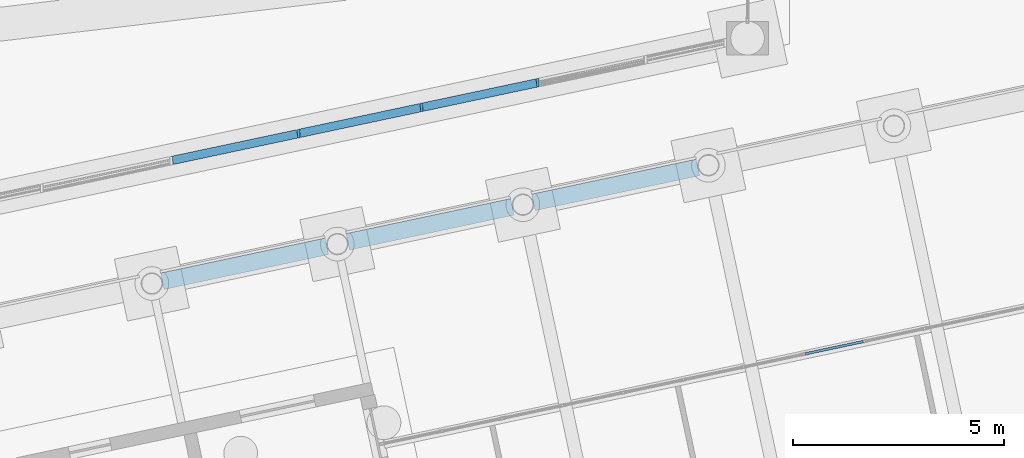
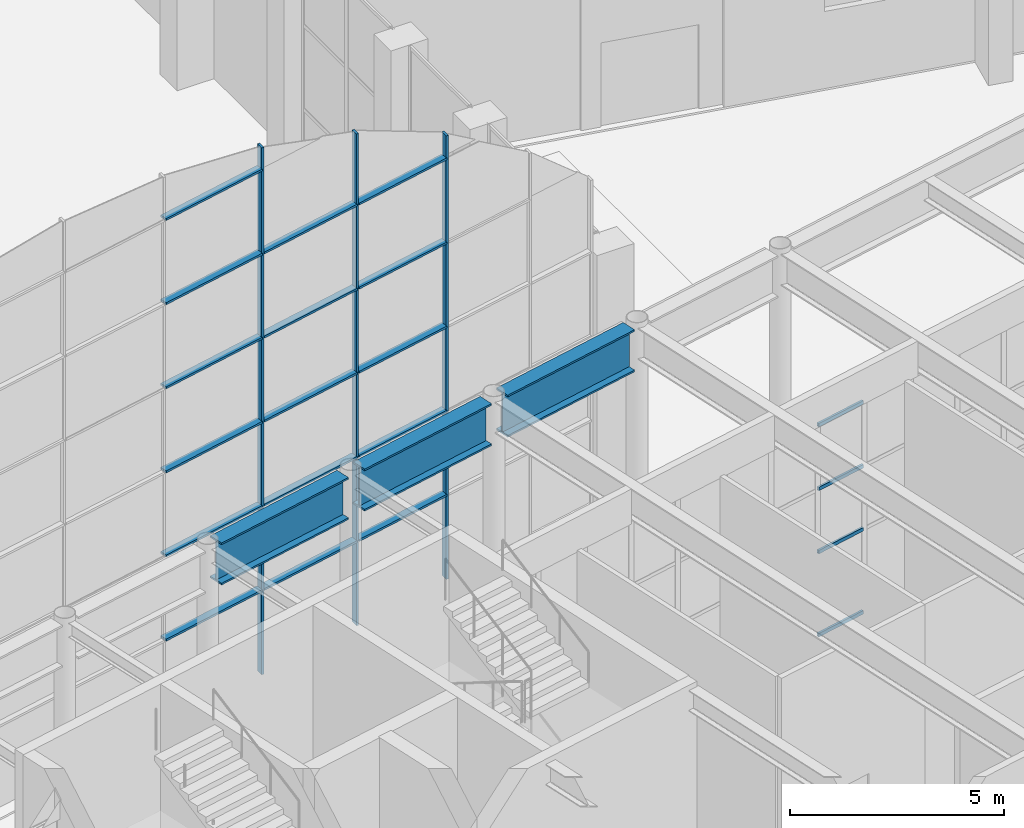
# One storey, part 109 of 239: 23 members, 3 beams, 2 elements without a shape of their own.
"""IFC4 building model written with IfcOpenShell, lengths in metres."""

from ifc_helpers import new_model, si_unit, direction, frame, origin, origin_2d, place, context, subcontext, project, spatial, rectangle, hollow_rectangle, i_section, extrude, material, material_profile, profile_set, type_object, element, aggregate, save


model = new_model("IFC4")

# Units and contexts
model_context = context("Model", 3, precision=1e-05, world=origin(), true_north=direction((0.0, 1.0)))
body_context = subcontext(model_context, "Body", "Model", "MODEL_VIEW")
ifc_project = project(units=[si_unit("LENGTHUNIT", "METRE"), si_unit("AREAUNIT", "SQUARE_METRE"), si_unit("VOLUMEUNIT", "CUBIC_METRE"), si_unit("PLANEANGLEUNIT", "RADIAN"), si_unit("MASSUNIT", "GRAM", prefix="KILO")], contexts=[model_context])

# Site, building, storey
site_placement = place(None, origin())
site = spatial("IfcSite", under=ifc_project, at=site_placement, CompositionType="ELEMENT")
building_placement = place(site_placement, origin())
building = spatial("IfcBuilding", under=site, at=building_placement, Name="Okhra Congress Centre", CompositionType="ELEMENT")
storey_placement = place(building_placement, origin())
storey = spatial("IfcBuildingStorey", under=building, at=storey_placement, Name="L00", CompositionType="ELEMENT", Elevation=0.0)

# Curtain wall, members
ifc_material_1 = material(Name="Aluminium frame with triple glazing", Category="aluminium")
curtain_wall_type_1 = type_object("IfcCurtainWallType", Name="Glazed gable curtain wall", PredefinedType="NOTDEFINED", material=ifc_material_1)
curtain_wall_1_placement = place(storey_placement, origin())
curtain_wall_1 = element("IfcCurtainWall", 1, at=curtain_wall_1_placement, inside=storey, type_object=curtain_wall_type_1, Name="South gable glazing", PredefinedType="NOTDEFINED")
ifc_material_2 = material(Name="Aluminium alloy 6063", Category="aluminium")
ifc_material_profile_1 = material_profile(ifc_material_2, rectangle(XDim=0.06005859375, YDim=0.199951171875, at=origin_2d()), Name="AL 60x200 gable")
ifc_profile_set_1 = profile_set([ifc_material_profile_1], Name="Aluminium alloy 6063")
member_type_1 = type_object("IfcMemberType", Name="Aluminium gable mullion 60x200", PredefinedType="MULLION", material=ifc_profile_set_1)
member_1_placement = place(storey_placement, frame((178.34814453125, 79.1044921875, 0.0), z_axis=(0.0, 0.0, 1.0), x_axis=(1.0, 0.0, 0.0)))
member_1 = element("IfcMember", 2, at=member_1_placement, type_object=member_type_1, Name="South gable glazing mullion 9", PredefinedType="MULLION", context=body_context, shape_type="SweptSolid", body=[
    extrude(rectangle(XDim=0.06005859375, YDim=0.199951171875, at=origin_2d()), origin(), (0.0, 0.0, 1.0), 15.02880859375),
])
member_2_placement = place(storey_placement, frame((181.264404296875, 79.724609375, 0.0), z_axis=(0.0, 0.0, 1.0), x_axis=(1.0, 0.0, 0.0)))
member_2 = element("IfcMember", 3, at=member_2_placement, type_object=member_type_1, Name="South gable glazing mullion 10", PredefinedType="MULLION", context=body_context, shape_type="SweptSolid", body=[
    extrude(rectangle(XDim=0.06005859375, YDim=0.199951171875, at=origin_2d()), origin(), (0.0, 0.0, 1.0), 14.0302734375),
])
member_3_placement = place(storey_placement, frame((184.024169921875, 80.311279296875, 0.0), z_axis=(0.0, 0.0, 1.0), x_axis=(1.0, 0.0, 0.0)))
member_3 = element("IfcMember", 4, at=member_3_placement, type_object=member_type_1, Name="South gable glazing mullion 11", PredefinedType="MULLION", context=body_context, shape_type="SweptSolid", body=[
    extrude(rectangle(XDim=0.06005859375, YDim=0.199951171875, at=origin_2d()), origin(), (0.0, 0.0, 1.0), 12.65673828125),
])
ifc_material_profile_2 = material_profile(ifc_material_2, rectangle(XDim=0.199951171875, YDim=0.06005859375, at=origin_2d()), Name="AL 200x60 gable transom")
ifc_profile_set_2 = profile_set([ifc_material_profile_2], Name="Aluminium alloy 6063")
member_type_2 = type_object("IfcMemberType", Name="Aluminium gable transom 200x60", PredefinedType="USERDEFINED", material=ifc_profile_set_2)
member_4_placement = place(storey_placement, frame((175.355712890625, 78.468505859375, 2.39990234375), z_axis=(0.978150245323, 0.207899248614, 0.0), x_axis=(-0.207899248614, 0.978150245323, 0.0)))
member_4 = element("IfcMember", 5, at=member_4_placement, type_object=member_type_2, Name="South gable glazing transom 8.1", ObjectType="TRANSOM", PredefinedType="USERDEFINED", context=body_context, shape_type="SweptSolid", body=[
    extrude(rectangle(XDim=0.199951171875, YDim=0.06005859375, at=origin_2d()), origin(), (0.0, 0.0, 1.0), 3.028564453125),
])
member_5_placement = place(storey_placement, frame((175.355712890625, 78.468505859375, 4.800048828125), z_axis=(0.978150245323, 0.207899248614, 0.0), x_axis=(-0.207899248614, 0.978150245323, 0.0)))
member_5 = element("IfcMember", 6, at=member_5_placement, type_object=member_type_2, Name="South gable glazing transom 8.2", ObjectType="TRANSOM", PredefinedType="USERDEFINED", context=body_context, shape_type="SweptSolid", body=[
    extrude(rectangle(XDim=0.199951171875, YDim=0.06005859375, at=origin_2d()), origin(), (0.0, 0.0, 1.0), 3.028564453125),
])
member_6_placement = place(storey_placement, frame((175.355712890625, 78.468505859375, 7.199951171875), z_axis=(0.978150245323, 0.207899248614, 0.0), x_axis=(-0.207899248614, 0.978150245323, 0.0)))
member_6 = element("IfcMember", 7, at=member_6_placement, type_object=member_type_2, Name="South gable glazing transom 8.3", ObjectType="TRANSOM", PredefinedType="USERDEFINED", context=body_context, shape_type="SweptSolid", body=[
    extrude(rectangle(XDim=0.199951171875, YDim=0.06005859375, at=origin_2d()), origin(), (0.0, 0.0, 1.0), 3.028564453125),
])
member_7_placement = place(storey_placement, frame((175.355712890625, 78.468505859375, 9.60009765625), z_axis=(0.978150245323, 0.207899248614, 0.0), x_axis=(-0.207899248614, 0.978150245323, 0.0)))
member_7 = element("IfcMember", 8, at=member_7_placement, type_object=member_type_2, Name="South gable glazing transom 8.4", ObjectType="TRANSOM", PredefinedType="USERDEFINED", context=body_context, shape_type="SweptSolid", body=[
    extrude(rectangle(XDim=0.199951171875, YDim=0.06005859375, at=origin_2d()), origin(), (0.0, 0.0, 1.0), 3.028564453125),
])
member_8_placement = place(storey_placement, frame((175.355712890625, 78.468505859375, 12.0), z_axis=(0.978150245323, 0.207899248614, 0.0), x_axis=(-0.207899248614, 0.978150245323, 0.0)))
member_8 = element("IfcMember", 9, at=member_8_placement, type_object=member_type_2, Name="South gable glazing transom 8.5", ObjectType="TRANSOM", PredefinedType="USERDEFINED", context=body_context, shape_type="SweptSolid", body=[
    extrude(rectangle(XDim=0.199951171875, YDim=0.06005859375, at=origin_2d()), origin(), (0.0, 0.0, 1.0), 3.028564453125),
])
member_9_placement = place(storey_placement, frame((175.355712890625, 78.468505859375, 14.39990234375), z_axis=(0.978150245323, 0.207899248614, 0.0), x_axis=(-0.207899248614, 0.978150245323, 0.0)))
member_9 = element("IfcMember", 10, at=member_9_placement, type_object=member_type_2, Name="South gable glazing transom 8.6", ObjectType="TRANSOM", PredefinedType="USERDEFINED", context=body_context, shape_type="SweptSolid", body=[
    extrude(rectangle(XDim=0.199951171875, YDim=0.06005859375, at=origin_2d()), origin(), (0.0, 0.0, 1.0), 3.028564453125),
])
member_10_placement = place(storey_placement, frame((178.378173828125, 79.111083984375, 2.39990234375), z_axis=(0.978142486059, 0.207935752015, 0.0), x_axis=(-0.207935752015, 0.978142486059, 0.0)))
member_10 = element("IfcMember", 11, at=member_10_placement, type_object=member_type_2, Name="South gable glazing transom 9.1", ObjectType="TRANSOM", PredefinedType="USERDEFINED", context=body_context, shape_type="SweptSolid", body=[
    extrude(rectangle(XDim=0.199951171875, YDim=0.06005859375, at=origin_2d()), origin(), (0.0, 0.0, 1.0), 2.919921875),
])
member_11_placement = place(storey_placement, frame((178.378173828125, 79.111083984375, 4.800048828125), z_axis=(0.978142486059, 0.207935752015, 0.0), x_axis=(-0.207935752015, 0.978142486059, 0.0)))
member_11 = element("IfcMember", 12, at=member_11_placement, type_object=member_type_2, Name="South gable glazing transom 9.2", ObjectType="TRANSOM", PredefinedType="USERDEFINED", context=body_context, shape_type="SweptSolid", body=[
    extrude(rectangle(XDim=0.199951171875, YDim=0.06005859375, at=origin_2d()), origin(), (0.0, 0.0, 1.0), 2.919921875),
])
member_12_placement = place(storey_placement, frame((178.378173828125, 79.111083984375, 7.199951171875), z_axis=(0.978142486059, 0.207935752015, 0.0), x_axis=(-0.207935752015, 0.978142486059, 0.0)))
member_12 = element("IfcMember", 13, at=member_12_placement, type_object=member_type_2, Name="South gable glazing transom 9.3", ObjectType="TRANSOM", PredefinedType="USERDEFINED", context=body_context, shape_type="SweptSolid", body=[
    extrude(rectangle(XDim=0.199951171875, YDim=0.06005859375, at=origin_2d()), origin(), (0.0, 0.0, 1.0), 2.919921875),
])
member_13_placement = place(storey_placement, frame((178.378173828125, 79.111083984375, 9.60009765625), z_axis=(0.978142486059, 0.207935752015, 0.0), x_axis=(-0.207935752015, 0.978142486059, 0.0)))
member_13 = element("IfcMember", 14, at=member_13_placement, type_object=member_type_2, Name="South gable glazing transom 9.4", ObjectType="TRANSOM", PredefinedType="USERDEFINED", context=body_context, shape_type="SweptSolid", body=[
    extrude(rectangle(XDim=0.199951171875, YDim=0.06005859375, at=origin_2d()), origin(), (0.0, 0.0, 1.0), 2.919921875),
])
member_14_placement = place(storey_placement, frame((178.378173828125, 79.111083984375, 12.0), z_axis=(0.978142486059, 0.207935752015, 0.0), x_axis=(-0.207935752015, 0.978142486059, 0.0)))
member_14 = element("IfcMember", 15, at=member_14_placement, type_object=member_type_2, Name="South gable glazing transom 9.5", ObjectType="TRANSOM", PredefinedType="USERDEFINED", context=body_context, shape_type="SweptSolid", body=[
    extrude(rectangle(XDim=0.199951171875, YDim=0.06005859375, at=origin_2d()), origin(), (0.0, 0.0, 1.0), 2.919921875),
])
member_15_placement = place(storey_placement, frame((181.29443359375, 79.73095703125, 2.39990234375), z_axis=(0.978137713941, 0.207958199084, 0.0), x_axis=(-0.207958199084, 0.978137713941, 0.0)))
member_15 = element("IfcMember", 16, at=member_15_placement, type_object=member_type_2, Name="South gable glazing transom 10.1", ObjectType="TRANSOM", PredefinedType="USERDEFINED", context=body_context, shape_type="SweptSolid", body=[
    extrude(rectangle(XDim=0.199951171875, YDim=0.06005859375, at=origin_2d()), origin(), (0.0, 0.0, 1.0), 2.760009765625),
])
member_16_placement = place(storey_placement, frame((181.29443359375, 79.73095703125, 4.800048828125), z_axis=(0.978137713941, 0.207958199084, 0.0), x_axis=(-0.207958199084, 0.978137713941, 0.0)))
member_16 = element("IfcMember", 17, at=member_16_placement, type_object=member_type_2, Name="South gable glazing transom 10.2", ObjectType="TRANSOM", PredefinedType="USERDEFINED", context=body_context, shape_type="SweptSolid", body=[
    extrude(rectangle(XDim=0.199951171875, YDim=0.06005859375, at=origin_2d()), origin(), (0.0, 0.0, 1.0), 2.760009765625),
])
member_17_placement = place(storey_placement, frame((181.29443359375, 79.73095703125, 7.199951171875), z_axis=(0.978137713941, 0.207958199084, 0.0), x_axis=(-0.207958199084, 0.978137713941, 0.0)))
member_17 = element("IfcMember", 18, at=member_17_placement, type_object=member_type_2, Name="South gable glazing transom 10.3", ObjectType="TRANSOM", PredefinedType="USERDEFINED", context=body_context, shape_type="SweptSolid", body=[
    extrude(rectangle(XDim=0.199951171875, YDim=0.06005859375, at=origin_2d()), origin(), (0.0, 0.0, 1.0), 2.760009765625),
])
member_18_placement = place(storey_placement, frame((181.29443359375, 79.73095703125, 9.60009765625), z_axis=(0.978137713941, 0.207958199084, 0.0), x_axis=(-0.207958199084, 0.978137713941, 0.0)))
member_18 = element("IfcMember", 19, at=member_18_placement, type_object=member_type_2, Name="South gable glazing transom 10.4", ObjectType="TRANSOM", PredefinedType="USERDEFINED", context=body_context, shape_type="SweptSolid", body=[
    extrude(rectangle(XDim=0.199951171875, YDim=0.06005859375, at=origin_2d()), origin(), (0.0, 0.0, 1.0), 2.760009765625),
])
member_19_placement = place(storey_placement, frame((181.29443359375, 79.73095703125, 12.0), z_axis=(0.978137713941, 0.207958199084, 0.0), x_axis=(-0.207958199084, 0.978137713941, 0.0)))
member_19 = element("IfcMember", 20, at=member_19_placement, type_object=member_type_2, Name="South gable glazing transom 10.5", ObjectType="TRANSOM", PredefinedType="USERDEFINED", context=body_context, shape_type="SweptSolid", body=[
    extrude(rectangle(XDim=0.199951171875, YDim=0.06005859375, at=origin_2d()), origin(), (0.0, 0.0, 1.0), 2.760009765625),
])
aggregate(curtain_wall_1, [member_1, member_2, member_3, member_4, member_5, member_6, member_7, member_8, member_9, member_10, member_11, member_12, member_13, member_14, member_15, member_16, member_17, member_18, member_19])

ifc_material_3 = material(Name="Aluminium curtain wall, triple glazing", Category="aluminium")
curtain_wall_type_2 = type_object("IfcCurtainWallType", Name="Curtain wall 1500 module", PredefinedType="NOTDEFINED", material=ifc_material_3)
curtain_wall_2_placement = place(storey_placement, origin())
curtain_wall_2 = element("IfcCurtainWall", 21, at=curtain_wall_2_placement, inside=storey, type_object=curtain_wall_type_2, Name="Ground curtain wall N10", PredefinedType="NOTDEFINED")
ifc_material_4 = material(Name="Aluminium alloy EN AW-6063 T66", Category="aluminium")
ifc_material_profile_3 = material_profile(ifc_material_4, hollow_rectangle(XDim=0.06005859375, YDim=0.10009765625, WallThickness=0.00390625, at=origin_2d()), Name="RHS 60x100x4")
ifc_profile_set_3 = profile_set([ifc_material_profile_3], Name="Aluminium alloy EN AW-6063 T66")
member_type_3 = type_object("IfcMemberType", Name="Curtain wall transom 60x100", PredefinedType="USERDEFINED", material=ifc_profile_set_3)
member_20_placement = place(storey_placement, frame((190.36962890625, 73.8779296875, 0.030029296875), z_axis=(0.978134537503, 0.207973138996, 0.0), x_axis=(-0.207973138996, 0.978134537503, 0.0)))
member_20 = element("IfcMember", 22, at=member_20_placement, type_object=member_type_3, Name="CW7 transom 8.1", ObjectType="TRANSOM", PredefinedType="USERDEFINED", context=body_context, shape_type="SweptSolid", body=[
    extrude(hollow_rectangle(XDim=0.06005859375, YDim=0.10009765625, WallThickness=0.00390625, at=origin_2d()), origin(), (0.0, 0.0, 1.0), 1.404052734375),
])
member_21_placement = place(storey_placement, frame((190.36962890625, 73.8779296875, 2.39990234375), z_axis=(0.978134537503, 0.207973138996, 0.0), x_axis=(-0.207973138996, 0.978134537503, 0.0)))
member_21 = element("IfcMember", 23, at=member_21_placement, type_object=member_type_3, Name="CW7 transom 8.2", ObjectType="TRANSOM", PredefinedType="USERDEFINED", context=body_context, shape_type="SweptSolid", body=[
    extrude(hollow_rectangle(XDim=0.06005859375, YDim=0.10009765625, WallThickness=0.00390625, at=origin_2d()), origin(), (0.0, 0.0, 1.0), 1.404052734375),
])
member_22_placement = place(storey_placement, frame((190.36962890625, 73.8779296875, 4.199951171875), z_axis=(0.978134537503, 0.207973138996, 0.0), x_axis=(-0.207973138996, 0.978134537503, 0.0)))
member_22 = element("IfcMember", 24, at=member_22_placement, type_object=member_type_3, Name="CW7 transom 8.3", ObjectType="TRANSOM", PredefinedType="USERDEFINED", context=body_context, shape_type="SweptSolid", body=[
    extrude(hollow_rectangle(XDim=0.06005859375, YDim=0.10009765625, WallThickness=0.00390625, at=origin_2d()), origin(), (0.0, 0.0, 1.0), 1.404052734375),
])
member_23_placement = place(storey_placement, frame((190.36962890625, 73.8779296875, 6.02001953125), z_axis=(0.978134537503, 0.207973138996, 0.0), x_axis=(-0.207973138996, 0.978134537503, 0.0)))
member_23 = element("IfcMember", 25, at=member_23_placement, type_object=member_type_3, Name="CW7 transom 8.4", ObjectType="TRANSOM", PredefinedType="USERDEFINED", context=body_context, shape_type="SweptSolid", body=[
    extrude(hollow_rectangle(XDim=0.06005859375, YDim=0.10009765625, WallThickness=0.00390625, at=origin_2d()), origin(), (0.0, 0.0, 1.0), 1.404052734375),
])
aggregate(curtain_wall_2, [member_20, member_21, member_22, member_23])

# Beams
ifc_material_5 = material(Name="Steel S355J2", Category="steel")
ifc_material_profile_4 = material_profile(ifc_material_5, i_section(OverallWidth=0.39990234375, OverallDepth=1.199951171875, WebThickness=0.02490234375, FlangeThickness=0.050048828125, at=origin_2d()), Name="Plate girder 1200x400")
ifc_profile_set_4 = profile_set([ifc_material_profile_4], Name="Steel S355J2")
beam_type = type_object("IfcBeamType", Name="Perimeter plate girder 1200x400", PredefinedType="BEAM", material=ifc_profile_set_4)
for number, where, z_axis, x_axis, name in (
    (26, (175.114501953125, 75.598876953125, 6.449951171875), (0.978142994281, 0.207933361295, 0.0), (-0.207933361295, 0.978142994281, 0.0), "Perimeter girder N25"),
    (27, (179.51611328125, 76.534423828125, 6.449951171875), (0.978142994281, 0.207933361295, 0.0), (-0.207933361295, 0.978142994281, 0.0), "Perimeter girder N26"),
    (28, (183.917724609375, 77.469970703125, 6.449951171875), (0.978142994281, 0.207933361295, 0.0), (-0.207933361295, 0.978142994281, 0.0), "Perimeter girder N27"),
):
    element("IfcBeam", number, at=place(storey_placement, frame(where, z_axis=z_axis, x_axis=x_axis)), inside=storey, type_object=beam_type, Name=name, PredefinedType="BEAM", context=body_context, shape_type="SweptSolid", body=[
        extrude(i_section(OverallWidth=0.39990234375, OverallDepth=1.199951171875, WebThickness=0.02490234375, FlangeThickness=0.050048828125, at=origin_2d()), origin(), (0.0, 0.0, 1.0), 3.991943359375),
    ])

save(model, "model.ifc")
